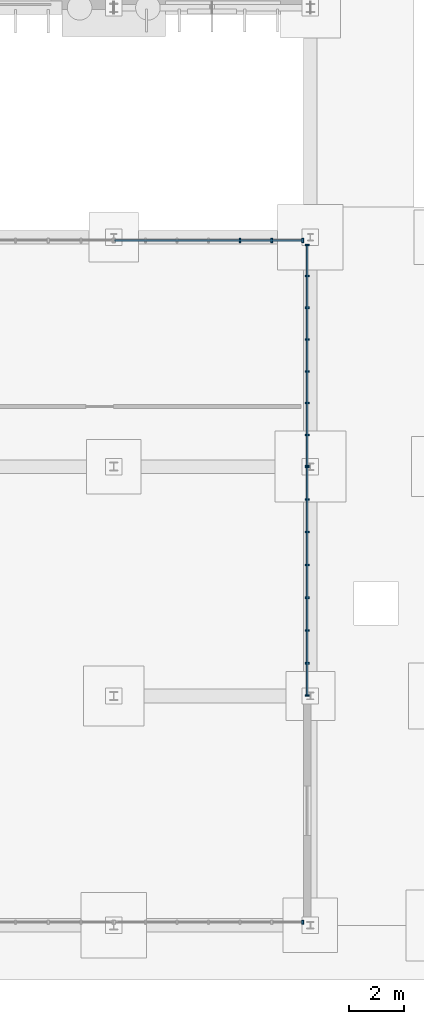
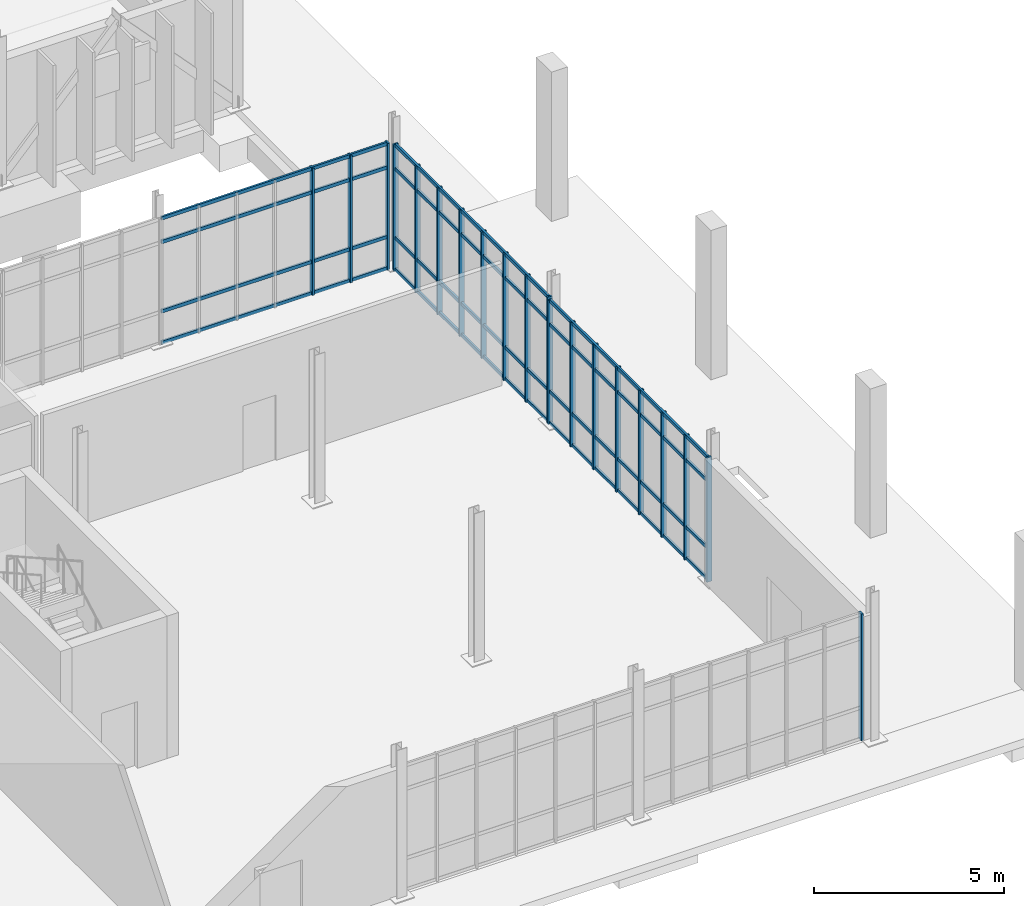
# One storey, part 49 of 118: 32 members, 4 elements without a shape of their own.
"""IFC4 building model written with IfcOpenShell, lengths in metres."""

from ifc_helpers import new_model, si_unit, direction, frame, origin, origin_2d, place, context, subcontext, project, spatial, rectangle, extrude, material, material_profile, profile_set, type_object, element, aggregate, save


model = new_model("IFC4")

# Units and contexts
model_context = context("Model", 3, precision=1e-05, world=origin(), true_north=direction((0.0, 1.0)))
body_context = subcontext(model_context, "Body", "Model", "MODEL_VIEW")
ifc_project = project(units=[si_unit("LENGTHUNIT", "METRE"), si_unit("AREAUNIT", "SQUARE_METRE"), si_unit("VOLUMEUNIT", "CUBIC_METRE"), si_unit("PLANEANGLEUNIT", "RADIAN"), si_unit("MASSUNIT", "GRAM", prefix="KILO")], contexts=[model_context])

# Site, building, storey
site_placement = place(None, origin())
site = spatial("IfcSite", under=ifc_project, at=site_placement, CompositionType="ELEMENT")
building_placement = place(site_placement, origin())
building = spatial("IfcBuilding", under=site, at=building_placement, Name="Qelthora Terrace Specialist Clinic", CompositionType="ELEMENT")
storey_placement = place(building_placement, origin())
storey = spatial("IfcBuildingStorey", under=building, at=storey_placement, Name="L00", CompositionType="ELEMENT", Elevation=0.0)

# Curtain wall, member
ifc_material = material(Name="Aluminium anodized bronze", Category="aluminium")
curtain_wall_type_1 = type_object("IfcCurtainWallType", Name="CW-CONS-X", PredefinedType="NOTDEFINED", material=ifc_material)
curtain_wall_1_placement = place(storey_placement, origin())
curtain_wall_1 = element("IfcCurtainWall", 1, at=curtain_wall_1_placement, inside=storey, type_object=curtain_wall_type_1, Name="Curtain wall CW-L00-210", PredefinedType="NOTDEFINED")
ifc_material_profile_1 = material_profile(ifc_material, rectangle(XDim=0.06005859375, YDim=0.14990234375, at=origin_2d()), Name="CWM60X150")
ifc_profile_set_1 = profile_set([ifc_material_profile_1], Name="Aluminium anodized bronze")
member_type_1 = type_object("IfcMemberType", Name="CWM-60X150", PredefinedType="MULLION", material=ifc_profile_set_1)
member_1_placement = place(storey_placement, frame((158.1201171875, 0.1201171875, 0.0), z_axis=(0.0, 0.0, 1.0), x_axis=(1.0, 0.0, 0.0)))
member_1 = element("IfcMember", 2, at=member_1_placement, type_object=member_type_1, Name="CW-L00-210 mullion 7", PredefinedType="MULLION", context=body_context, shape_type="SweptSolid", body=[
    extrude(rectangle(XDim=0.06005859375, YDim=0.14990234375, at=origin_2d()), origin(), (0.0, 0.0, 1.0), 4.08203125),
])
aggregate(curtain_wall_1, [member_1])

# Curtain wall, members
curtain_wall_2_placement = place(storey_placement, origin())
curtain_wall_2 = element("IfcCurtainWall", 3, at=curtain_wall_2_placement, inside=storey, type_object=curtain_wall_type_1, Name="Curtain wall CW-L00-221", PredefinedType="NOTDEFINED")
member_2_placement = place(storey_placement, frame((155.82666015625, 25.080078125, 0.0), z_axis=(0.0, 0.0, 1.0), x_axis=(1.0, 0.0, 0.0)))
member_2 = element("IfcMember", 4, at=member_2_placement, type_object=member_type_1, Name="CW-L00-221 mullion 5", PredefinedType="MULLION", context=body_context, shape_type="SweptSolid", body=[
    extrude(rectangle(XDim=0.06005859375, YDim=0.14990234375, at=origin_2d()), origin(), (0.0, 0.0, 1.0), 4.08203125),
])
member_3_placement = place(storey_placement, frame((156.9833984375, 25.080078125, 0.0), z_axis=(0.0, 0.0, 1.0), x_axis=(1.0, 0.0, 0.0)))
member_3 = element("IfcMember", 5, at=member_3_placement, type_object=member_type_1, Name="CW-L00-221 mullion 6", PredefinedType="MULLION", context=body_context, shape_type="SweptSolid", body=[
    extrude(rectangle(XDim=0.06005859375, YDim=0.14990234375, at=origin_2d()), origin(), (0.0, 0.0, 1.0), 4.08203125),
])
member_4_placement = place(storey_placement, frame((158.1201171875, 25.080078125, 0.0), z_axis=(0.0, 0.0, 1.0), x_axis=(1.0, 0.0, 0.0)))
member_4 = element("IfcMember", 6, at=member_4_placement, type_object=member_type_1, Name="CW-L00-221 mullion 7", PredefinedType="MULLION", context=body_context, shape_type="SweptSolid", body=[
    extrude(rectangle(XDim=0.06005859375, YDim=0.14990234375, at=origin_2d()), origin(), (0.0, 0.0, 1.0), 4.08203125),
])

curtain_wall_type_2 = type_object("IfcCurtainWallType", Name="CW-CONS-Y", PredefinedType="NOTDEFINED", material=ifc_material)
curtain_wall_3_placement = place(storey_placement, origin())
curtain_wall_3 = element("IfcCurtainWall", 7, at=curtain_wall_3_placement, inside=storey, type_object=curtain_wall_type_2, Name="Curtain wall CW-L00-222", PredefinedType="NOTDEFINED")
member_5_placement = place(storey_placement, frame((158.280029296875, 8.419921875, 0.0), z_axis=(0.0, 0.0, 1.0), x_axis=(0.0, 1.0, 0.0)))
member_5 = element("IfcMember", 8, at=member_5_placement, type_object=member_type_1, Name="CW-L00-222 mullion 1", PredefinedType="MULLION", context=body_context, shape_type="SweptSolid", body=[
    extrude(rectangle(XDim=0.06005859375, YDim=0.14990234375, at=origin_2d()), origin(), (0.0, 0.0, 1.0), 4.0048828125),
])
member_6_placement = place(storey_placement, frame((158.280029296875, 9.60009765625, 0.0), z_axis=(0.0, 0.0, 1.0), x_axis=(0.0, 1.0, 0.0)))
member_6 = element("IfcMember", 9, at=member_6_placement, type_object=member_type_1, Name="CW-L00-222 mullion 2", PredefinedType="MULLION", context=body_context, shape_type="SweptSolid", body=[
    extrude(rectangle(XDim=0.06005859375, YDim=0.14990234375, at=origin_2d()), origin(), (0.0, 0.0, 1.0), 4.0048828125),
])
member_7_placement = place(storey_placement, frame((158.280029296875, 10.800048828125, 0.0), z_axis=(0.0, 0.0, 1.0), x_axis=(0.0, 1.0, 0.0)))
member_7 = element("IfcMember", 10, at=member_7_placement, type_object=member_type_1, Name="CW-L00-222 mullion 3", PredefinedType="MULLION", context=body_context, shape_type="SweptSolid", body=[
    extrude(rectangle(XDim=0.06005859375, YDim=0.14990234375, at=origin_2d()), origin(), (0.0, 0.0, 1.0), 4.0048828125),
])
member_8_placement = place(storey_placement, frame((158.280029296875, 12.0, 0.0), z_axis=(0.0, 0.0, 1.0), x_axis=(0.0, 1.0, 0.0)))
member_8 = element("IfcMember", 11, at=member_8_placement, type_object=member_type_1, Name="CW-L00-222 mullion 4", PredefinedType="MULLION", context=body_context, shape_type="SweptSolid", body=[
    extrude(rectangle(XDim=0.06005859375, YDim=0.14990234375, at=origin_2d()), origin(), (0.0, 0.0, 1.0), 4.0048828125),
])
member_9_placement = place(storey_placement, frame((158.280029296875, 13.199951171875, 0.0), z_axis=(0.0, 0.0, 1.0), x_axis=(0.0, 1.0, 0.0)))
member_9 = element("IfcMember", 12, at=member_9_placement, type_object=member_type_1, Name="CW-L00-222 mullion 5", PredefinedType="MULLION", context=body_context, shape_type="SweptSolid", body=[
    extrude(rectangle(XDim=0.06005859375, YDim=0.14990234375, at=origin_2d()), origin(), (0.0, 0.0, 1.0), 4.0048828125),
])
member_10_placement = place(storey_placement, frame((158.280029296875, 14.39990234375, 0.0), z_axis=(0.0, 0.0, 1.0), x_axis=(0.0, 1.0, 0.0)))
member_10 = element("IfcMember", 13, at=member_10_placement, type_object=member_type_1, Name="CW-L00-222 mullion 6", PredefinedType="MULLION", context=body_context, shape_type="SweptSolid", body=[
    extrude(rectangle(XDim=0.06005859375, YDim=0.14990234375, at=origin_2d()), origin(), (0.0, 0.0, 1.0), 4.0048828125),
])
member_11_placement = place(storey_placement, frame((158.280029296875, 15.60009765625, 0.0), z_axis=(0.0, 0.0, 1.0), x_axis=(0.0, 1.0, 0.0)))
member_11 = element("IfcMember", 14, at=member_11_placement, type_object=member_type_1, Name="CW-L00-222 mullion 7", PredefinedType="MULLION", context=body_context, shape_type="SweptSolid", body=[
    extrude(rectangle(XDim=0.06005859375, YDim=0.14990234375, at=origin_2d()), origin(), (0.0, 0.0, 1.0), 4.0048828125),
])
member_12_placement = place(storey_placement, frame((158.280029296875, 16.780029296875, 0.0), z_axis=(0.0, 0.0, 1.0), x_axis=(0.0, 1.0, 0.0)))
member_12 = element("IfcMember", 15, at=member_12_placement, type_object=member_type_1, Name="CW-L00-222 mullion 8", PredefinedType="MULLION", context=body_context, shape_type="SweptSolid", body=[
    extrude(rectangle(XDim=0.06005859375, YDim=0.14990234375, at=origin_2d()), origin(), (0.0, 0.0, 1.0), 4.0048828125),
])

curtain_wall_4_placement = place(storey_placement, origin())
curtain_wall_4 = element("IfcCurtainWall", 16, at=curtain_wall_4_placement, inside=storey, type_object=curtain_wall_type_2, Name="Curtain wall CW-L00-223", PredefinedType="NOTDEFINED")
member_13_placement = place(storey_placement, frame((158.280029296875, 16.820068359375, 0.0), z_axis=(0.0, 0.0, 1.0), x_axis=(0.0, 1.0, 0.0)))
member_13 = element("IfcMember", 17, at=member_13_placement, type_object=member_type_1, Name="CW-L00-223 mullion 1", PredefinedType="MULLION", context=body_context, shape_type="SweptSolid", body=[
    extrude(rectangle(XDim=0.06005859375, YDim=0.14990234375, at=origin_2d()), origin(), (0.0, 0.0, 1.0), 4.075927734375),
])
member_14_placement = place(storey_placement, frame((158.280029296875, 17.962890625, 0.0), z_axis=(0.0, 0.0, 1.0), x_axis=(0.0, 1.0, 0.0)))
member_14 = element("IfcMember", 18, at=member_14_placement, type_object=member_type_1, Name="CW-L00-223 mullion 2", PredefinedType="MULLION", context=body_context, shape_type="SweptSolid", body=[
    extrude(rectangle(XDim=0.06005859375, YDim=0.14990234375, at=origin_2d()), origin(), (0.0, 0.0, 1.0), 4.075927734375),
])
member_15_placement = place(storey_placement, frame((158.280029296875, 19.125732421875, 0.0), z_axis=(0.0, 0.0, 1.0), x_axis=(0.0, 1.0, 0.0)))
member_15 = element("IfcMember", 19, at=member_15_placement, type_object=member_type_1, Name="CW-L00-223 mullion 3", PredefinedType="MULLION", context=body_context, shape_type="SweptSolid", body=[
    extrude(rectangle(XDim=0.06005859375, YDim=0.14990234375, at=origin_2d()), origin(), (0.0, 0.0, 1.0), 4.075927734375),
])
member_16_placement = place(storey_placement, frame((158.280029296875, 20.28857421875, 0.0), z_axis=(0.0, 0.0, 1.0), x_axis=(0.0, 1.0, 0.0)))
member_16 = element("IfcMember", 20, at=member_16_placement, type_object=member_type_1, Name="CW-L00-223 mullion 4", PredefinedType="MULLION", context=body_context, shape_type="SweptSolid", body=[
    extrude(rectangle(XDim=0.06005859375, YDim=0.14990234375, at=origin_2d()), origin(), (0.0, 0.0, 1.0), 4.075927734375),
])
member_17_placement = place(storey_placement, frame((158.280029296875, 21.451416015625, 0.0), z_axis=(0.0, 0.0, 1.0), x_axis=(0.0, 1.0, 0.0)))
member_17 = element("IfcMember", 21, at=member_17_placement, type_object=member_type_1, Name="CW-L00-223 mullion 5", PredefinedType="MULLION", context=body_context, shape_type="SweptSolid", body=[
    extrude(rectangle(XDim=0.06005859375, YDim=0.14990234375, at=origin_2d()), origin(), (0.0, 0.0, 1.0), 4.075927734375),
])
member_18_placement = place(storey_placement, frame((158.280029296875, 22.6142578125, 0.0), z_axis=(0.0, 0.0, 1.0), x_axis=(0.0, 1.0, 0.0)))
member_18 = element("IfcMember", 22, at=member_18_placement, type_object=member_type_1, Name="CW-L00-223 mullion 6", PredefinedType="MULLION", context=body_context, shape_type="SweptSolid", body=[
    extrude(rectangle(XDim=0.06005859375, YDim=0.14990234375, at=origin_2d()), origin(), (0.0, 0.0, 1.0), 4.075927734375),
])
member_19_placement = place(storey_placement, frame((158.280029296875, 23.777099609375, 0.0), z_axis=(0.0, 0.0, 1.0), x_axis=(0.0, 1.0, 0.0)))
member_19 = element("IfcMember", 23, at=member_19_placement, type_object=member_type_1, Name="CW-L00-223 mullion 7", PredefinedType="MULLION", context=body_context, shape_type="SweptSolid", body=[
    extrude(rectangle(XDim=0.06005859375, YDim=0.14990234375, at=origin_2d()), origin(), (0.0, 0.0, 1.0), 4.075927734375),
])
member_20_placement = place(storey_placement, frame((158.280029296875, 24.919921875, 0.0), z_axis=(0.0, 0.0, 1.0), x_axis=(0.0, 1.0, 0.0)))
member_20 = element("IfcMember", 24, at=member_20_placement, type_object=member_type_1, Name="CW-L00-223 mullion 8", PredefinedType="MULLION", context=body_context, shape_type="SweptSolid", body=[
    extrude(rectangle(XDim=0.06005859375, YDim=0.14990234375, at=origin_2d()), origin(), (0.0, 0.0, 1.0), 4.075927734375),
])

# Member
ifc_material_profile_2 = material_profile(ifc_material, rectangle(XDim=0.06005859375, YDim=0.110107421875, at=origin_2d()), Name="CWT60X110")
ifc_profile_set_2 = profile_set([ifc_material_profile_2], Name="Aluminium anodized bronze")
member_type_2 = type_object("IfcMemberType", Name="CWT-60X110", PredefinedType="USERDEFINED", material=ifc_profile_set_2)
member_21_placement = place(storey_placement, frame((151.239990234375, 25.080078125, 0.0400390625), z_axis=(1.0, 0.0, 0.0), x_axis=(0.0, 1.0, 0.0)))
member_21 = element("IfcMember", 25, at=member_21_placement, type_object=member_type_2, Name="CW-L00-221 transom 1", ObjectType="TRANSOM", PredefinedType="USERDEFINED", context=body_context, shape_type="SweptSolid", body=[
    extrude(rectangle(XDim=0.06005859375, YDim=0.110107421875, at=origin_2d()), origin(), (0.0, 0.0, 1.0), 6.860107421875),
])

member_22_placement = place(storey_placement, frame((151.239990234375, 25.080078125, 1.050048828125), z_axis=(1.0, 0.0, 0.0), x_axis=(0.0, 1.0, 0.0)))
member_22 = element("IfcMember", 26, at=member_22_placement, type_object=member_type_2, Name="CW-L00-221 transom 2", ObjectType="TRANSOM", PredefinedType="USERDEFINED", context=body_context, shape_type="SweptSolid", body=[
    extrude(rectangle(XDim=0.06005859375, YDim=0.110107421875, at=origin_2d()), origin(), (0.0, 0.0, 1.0), 6.860107421875),
])

member_23_placement = place(storey_placement, frame((151.239990234375, 25.080078125, 3.281982421875), z_axis=(1.0, 0.0, 0.0), x_axis=(0.0, 1.0, 0.0)))
member_23 = element("IfcMember", 27, at=member_23_placement, type_object=member_type_2, Name="CW-L00-221 transom 3", ObjectType="TRANSOM", PredefinedType="USERDEFINED", context=body_context, shape_type="SweptSolid", body=[
    extrude(rectangle(XDim=0.06005859375, YDim=0.110107421875, at=origin_2d()), origin(), (0.0, 0.0, 1.0), 6.860107421875),
])

member_24_placement = place(storey_placement, frame((151.239990234375, 25.080078125, 4.0419921875), z_axis=(1.0, 0.0, 0.0), x_axis=(0.0, 1.0, 0.0)))
member_24 = element("IfcMember", 28, at=member_24_placement, type_object=member_type_2, Name="CW-L00-221 transom 4", ObjectType="TRANSOM", PredefinedType="USERDEFINED", context=body_context, shape_type="SweptSolid", body=[
    extrude(rectangle(XDim=0.06005859375, YDim=0.110107421875, at=origin_2d()), origin(), (0.0, 0.0, 1.0), 6.860107421875),
])

aggregate(curtain_wall_2, [member_2, member_3, member_4, member_21, member_22, member_23, member_24])

member_25_placement = place(storey_placement, frame((158.280029296875, 8.43994140625, 0.0400390625), z_axis=(0.0, 1.0, 0.0), x_axis=(-1.0, 0.0, 0.0)))
member_25 = element("IfcMember", 29, at=member_25_placement, type_object=member_type_2, Name="CW-L00-222 transom 1", ObjectType="TRANSOM", PredefinedType="USERDEFINED", context=body_context, shape_type="SweptSolid", body=[
    extrude(rectangle(XDim=0.06005859375, YDim=0.110107421875, at=origin_2d()), origin(), (0.0, 0.0, 1.0), 8.320068359375),
])

member_26_placement = place(storey_placement, frame((158.280029296875, 8.43994140625, 1.050048828125), z_axis=(0.0, 1.0, 0.0), x_axis=(-1.0, 0.0, 0.0)))
member_26 = element("IfcMember", 30, at=member_26_placement, type_object=member_type_2, Name="CW-L00-222 transom 2", ObjectType="TRANSOM", PredefinedType="USERDEFINED", context=body_context, shape_type="SweptSolid", body=[
    extrude(rectangle(XDim=0.06005859375, YDim=0.110107421875, at=origin_2d()), origin(), (0.0, 0.0, 1.0), 8.320068359375),
])

member_27_placement = place(storey_placement, frame((158.280029296875, 8.43994140625, 3.205078125), z_axis=(0.0, 1.0, 0.0), x_axis=(-1.0, 0.0, 0.0)))
member_27 = element("IfcMember", 31, at=member_27_placement, type_object=member_type_2, Name="CW-L00-222 transom 3", ObjectType="TRANSOM", PredefinedType="USERDEFINED", context=body_context, shape_type="SweptSolid", body=[
    extrude(rectangle(XDim=0.06005859375, YDim=0.110107421875, at=origin_2d()), origin(), (0.0, 0.0, 1.0), 8.320068359375),
])

member_28_placement = place(storey_placement, frame((158.280029296875, 8.43994140625, 3.965087890625), z_axis=(0.0, 1.0, 0.0), x_axis=(-1.0, 0.0, 0.0)))
member_28 = element("IfcMember", 32, at=member_28_placement, type_object=member_type_2, Name="CW-L00-222 transom 4", ObjectType="TRANSOM", PredefinedType="USERDEFINED", context=body_context, shape_type="SweptSolid", body=[
    extrude(rectangle(XDim=0.06005859375, YDim=0.110107421875, at=origin_2d()), origin(), (0.0, 0.0, 1.0), 8.320068359375),
])

aggregate(curtain_wall_3, [member_5, member_6, member_7, member_8, member_9, member_10, member_11, member_12, member_25, member_26, member_27, member_28])

member_29_placement = place(storey_placement, frame((158.280029296875, 16.840087890625, 0.0400390625), z_axis=(0.0, 1.0, 0.0), x_axis=(-1.0, 0.0, 0.0)))
member_29 = element("IfcMember", 33, at=member_29_placement, type_object=member_type_2, Name="CW-L00-223 transom 1", ObjectType="TRANSOM", PredefinedType="USERDEFINED", context=body_context, shape_type="SweptSolid", body=[
    extrude(rectangle(XDim=0.06005859375, YDim=0.110107421875, at=origin_2d()), origin(), (0.0, 0.0, 1.0), 8.059814453125),
])

member_30_placement = place(storey_placement, frame((158.280029296875, 16.840087890625, 1.050048828125), z_axis=(0.0, 1.0, 0.0), x_axis=(-1.0, 0.0, 0.0)))
member_30 = element("IfcMember", 34, at=member_30_placement, type_object=member_type_2, Name="CW-L00-223 transom 2", ObjectType="TRANSOM", PredefinedType="USERDEFINED", context=body_context, shape_type="SweptSolid", body=[
    extrude(rectangle(XDim=0.06005859375, YDim=0.110107421875, at=origin_2d()), origin(), (0.0, 0.0, 1.0), 8.059814453125),
])

member_31_placement = place(storey_placement, frame((158.280029296875, 16.840087890625, 3.27587890625), z_axis=(0.0, 1.0, 0.0), x_axis=(-1.0, 0.0, 0.0)))
member_31 = element("IfcMember", 35, at=member_31_placement, type_object=member_type_2, Name="CW-L00-223 transom 3", ObjectType="TRANSOM", PredefinedType="USERDEFINED", context=body_context, shape_type="SweptSolid", body=[
    extrude(rectangle(XDim=0.06005859375, YDim=0.110107421875, at=origin_2d()), origin(), (0.0, 0.0, 1.0), 8.059814453125),
])

member_32_placement = place(storey_placement, frame((158.280029296875, 16.840087890625, 4.035888671875), z_axis=(0.0, 1.0, 0.0), x_axis=(-1.0, 0.0, 0.0)))
member_32 = element("IfcMember", 36, at=member_32_placement, type_object=member_type_2, Name="CW-L00-223 transom 4", ObjectType="TRANSOM", PredefinedType="USERDEFINED", context=body_context, shape_type="SweptSolid", body=[
    extrude(rectangle(XDim=0.06005859375, YDim=0.110107421875, at=origin_2d()), origin(), (0.0, 0.0, 1.0), 8.059814453125),
])

aggregate(curtain_wall_4, [member_13, member_14, member_15, member_16, member_17, member_18, member_19, member_20, member_29, member_30, member_31, member_32])

save(model, "model.ifc")
